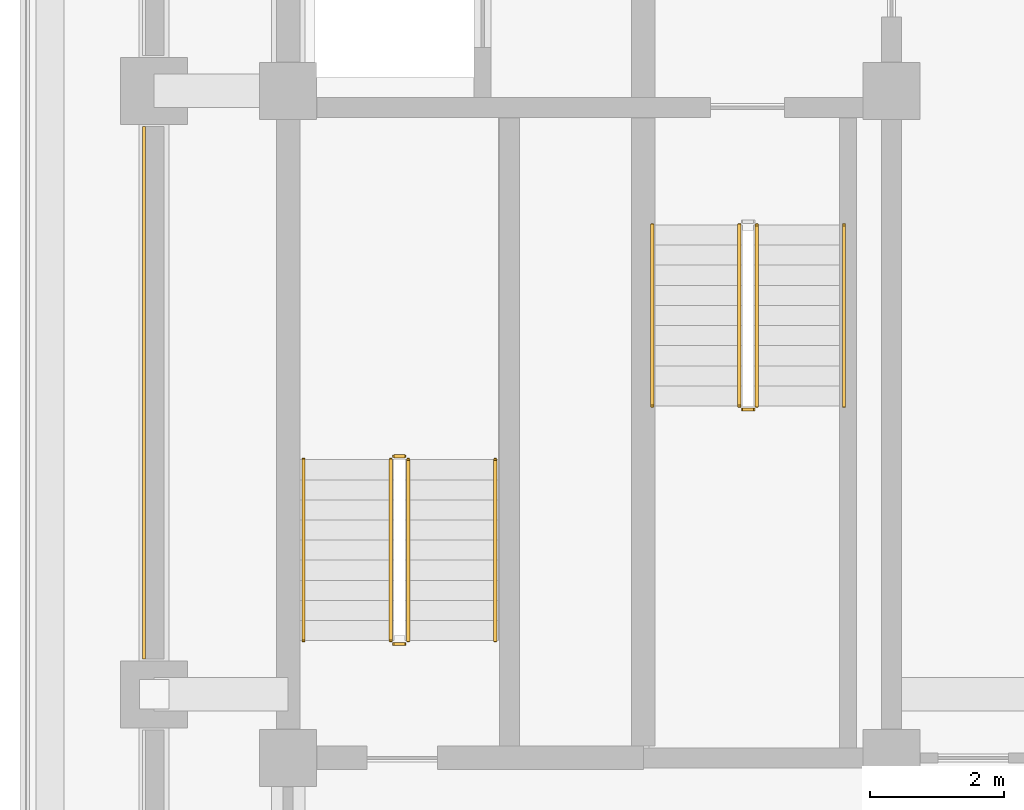
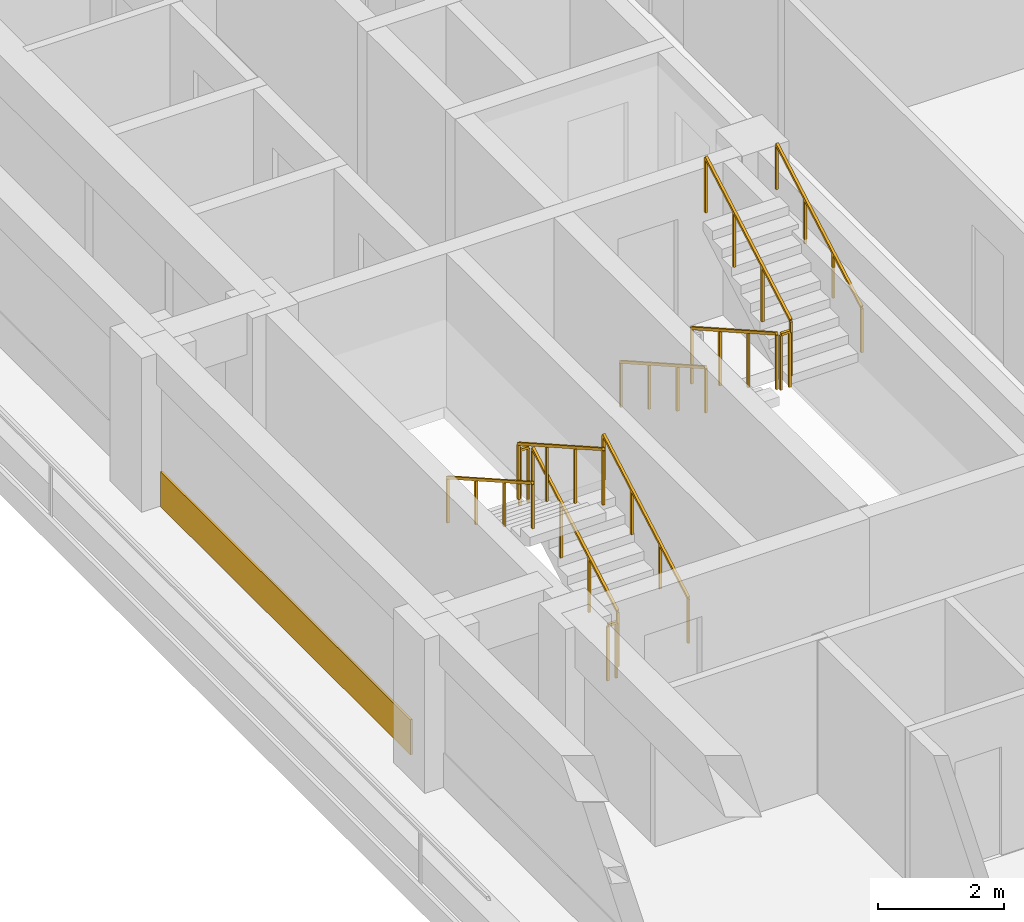
# One storey, part 8 of 13: 11 railings, 1 covering.
"""IFC4 building model written with IfcOpenShell, lengths in metres."""

from ifc_helpers import new_model, si_unit, direction, frame, frame_2d, origin, origin_2d, place, context, subcontext, project, spatial, rectangle, extrude, material, layer, layer_set, type_object, element, save


model = new_model("IFC4")

# Units and contexts
model_context = context("Model", 3, precision=1e-05, world=origin(), true_north=direction((0.0, 1.0)))
body_context = subcontext(model_context, "Body", "Model", "MODEL_VIEW")
ifc_project = project(units=[si_unit("LENGTHUNIT", "METRE"), si_unit("AREAUNIT", "SQUARE_METRE"), si_unit("VOLUMEUNIT", "CUBIC_METRE"), si_unit("PLANEANGLEUNIT", "RADIAN"), si_unit("MASSUNIT", "GRAM", prefix="KILO")], contexts=[model_context])

# Site, building, storey
site_placement = place(None, origin())
site = spatial("IfcSite", under=ifc_project, at=site_placement, CompositionType="ELEMENT")
building_placement = place(site_placement, origin())
building = spatial("IfcBuilding", under=site, at=building_placement, Name="Zulmaris Gate Convention Tower", CompositionType="ELEMENT")
storey_placement = place(building_placement, frame((0.0, 0.0, 183.059814453125)))
storey = spatial("IfcBuildingStorey", under=building, at=storey_placement, Name="L47", CompositionType="ELEMENT", Elevation=183.059814453125)

# Covering
ifc_material_1 = material(Name="Precast concrete C40/50", Category="concrete")
ifc_layer = layer(ifc_material_1, 0.0400390625, Name="Precast concrete C40/50")
ifc_layer_set = layer_set([ifc_layer], Name="Precast concrete C40/50")
covering_type = type_object("IfcCoveringType", Name="CLAD-SPANDREL-PRECAST", PredefinedType="CLADDING", material=ifc_layer_set)
covering_placement = place(storey_placement, frame((-22.14990234375, -0.530029296875, 0.0), z_axis=(0.0, 0.0, 1.0), x_axis=(0.0, -1.0, 0.0)))
element("IfcCovering", 1, at=covering_placement, inside=storey, type_object=covering_type, Name="CLD-L47-W-1_0", PredefinedType="CLADDING", context=body_context, shape_type="SweptSolid", body=[
    extrude(rectangle(XDim=7.93994140625, YDim=0.0400390625, at=frame_2d((3.969970703125, 0.0))), origin(), (0.0, 0.0, 1.0), 0.679931640625),
])

# Railings
ifc_material_2 = material(Name="Painted Galvanised Steel", Category="steel")
railing_type_1 = type_object("IfcRailingType", Name="RL-STG-1150", PredefinedType="GUARDRAIL", material=ifc_material_2)
railing_1_placement = place(storey_placement, frame((-13.27001953125, -2.0, 0.169921875)))
element("IfcRailing", 2, at=railing_1_placement, inside=storey, type_object=railing_type_1, Name="L47 ST-1 stair guard 1", PredefinedType="GUARDRAIL", context=body_context, shape_type="SweptSolid", body=[
    extrude(rectangle(XDim=0.048095703125, YDim=0.048095703125, at=origin_2d()), frame((0.0, 0.0, 1.076171875), z_axis=(0.0, -0.869980566543, 0.493086010588), x_axis=(1.0, 0.0, 0.0)), (0.0, 0.0, 1.0), 3.103515625),
    extrude(rectangle(XDim=0.0419921875, YDim=0.0419921875, at=origin_2d()), origin(), (0.0, 0.0, 1.0), 1.052001953125),
    extrude(rectangle(XDim=0.0419921875, YDim=0.0419921875, at=origin_2d()), frame((0.0, -0.89990234375, 0.510009765625)), (0.0, 0.0, 1.0), 1.052001953125),
    extrude(rectangle(XDim=0.0419921875, YDim=0.0419921875, at=origin_2d()), frame((0.0, -1.800048828125, 1.020263671875)), (0.0, 0.0, 1.0), 1.052001953125),
    extrude(rectangle(XDim=0.0419921875, YDim=0.0419921875, at=origin_2d()), frame((0.0, -2.699951171875, 1.5302734375)), (0.0, 0.0, 1.0), 1.052001953125),
])
railing_2_placement = place(storey_placement, frame((-13.219970703125, -4.75, 1.7001953125)))
element("IfcRailing", 3, at=railing_2_placement, inside=storey, type_object=railing_type_1, Name="L47 ST-1 stair guard 2", PredefinedType="GUARDRAIL", context=body_context, shape_type="SweptSolid", body=[
    extrude(rectangle(XDim=0.048095703125, YDim=0.048095703125, at=origin_2d()), frame((0.0, 0.0, 1.076171875), z_axis=(1.0, 0.0, 0.0), x_axis=(0.0, 1.0, 0.0)), (0.0, 0.0, 1.0), 0.159912109375),
    extrude(rectangle(XDim=0.0419921875, YDim=0.0419921875, at=origin_2d()), origin(), (0.0, 0.0, 1.0), 1.052001953125),
    extrude(rectangle(XDim=0.0419921875, YDim=0.0419921875, at=origin_2d()), frame((0.159912109375, 0.0, 0.0)), (0.0, 0.0, 1.0), 1.052001953125),
])
railing_3_placement = place(storey_placement, frame((-13.010009765625, -4.699951171875, 1.8701171875)))
element("IfcRailing", 4, at=railing_3_placement, inside=storey, type_object=railing_type_1, Name="L47 ST-1 stair guard 3", PredefinedType="GUARDRAIL", context=body_context, shape_type="SweptSolid", body=[
    extrude(rectangle(XDim=0.048095703125, YDim=0.048095703125, at=origin_2d()), frame((0.0, 0.0, 1.076171875), z_axis=(0.0, 0.870014312096, 0.49302646658), x_axis=(-1.0, 0.0, 0.0)), (0.0, 0.0, 1.0), 3.103271484375),
    extrude(rectangle(XDim=0.0419921875, YDim=0.0419921875, at=origin_2d()), origin(), (0.0, 0.0, 1.0), 1.052001953125),
    extrude(rectangle(XDim=0.0419921875, YDim=0.0419921875, at=origin_2d()), frame((0.0, 0.89990234375, 0.510009765625)), (0.0, 0.0, 1.0), 1.052001953125),
    extrude(rectangle(XDim=0.0419921875, YDim=0.0419921875, at=origin_2d()), frame((0.0, 1.800048828125, 1.02001953125)), (0.0, 0.0, 1.0), 1.052001953125),
    extrude(rectangle(XDim=0.0419921875, YDim=0.0419921875, at=origin_2d()), frame((0.0, 2.699951171875, 1.530029296875)), (0.0, 0.0, 1.0), 1.052001953125),
])
railing_4_placement = place(storey_placement, frame((-18.2099609375, -8.199951171875, 0.169921875)))
element("IfcRailing", 5, at=railing_4_placement, inside=storey, type_object=railing_type_1, Name="L47 ST-3 stair guard 1", PredefinedType="GUARDRAIL", context=body_context, shape_type="SweptSolid", body=[
    extrude(rectangle(XDim=0.048095703125, YDim=0.048095703125, at=origin_2d()), frame((0.0, 0.0, 1.076171875), z_axis=(0.0, 0.869980566543, 0.493086010588), x_axis=(-1.0, 0.0, 0.0)), (0.0, 0.0, 1.0), 3.103515625),
    extrude(rectangle(XDim=0.0419921875, YDim=0.0419921875, at=origin_2d()), origin(), (0.0, 0.0, 1.0), 1.052001953125),
    extrude(rectangle(XDim=0.0419921875, YDim=0.0419921875, at=origin_2d()), frame((0.0, 0.89990234375, 0.510009765625)), (0.0, 0.0, 1.0), 1.052001953125),
    extrude(rectangle(XDim=0.0419921875, YDim=0.0419921875, at=origin_2d()), frame((0.0, 1.800048828125, 1.020263671875)), (0.0, 0.0, 1.0), 1.052001953125),
    extrude(rectangle(XDim=0.0419921875, YDim=0.0419921875, at=origin_2d()), frame((0.0, 2.699951171875, 1.5302734375)), (0.0, 0.0, 1.0), 1.052001953125),
])
railing_5_placement = place(storey_placement, frame((-18.260009765625, -5.449951171875, 1.7001953125)))
element("IfcRailing", 6, at=railing_5_placement, inside=storey, type_object=railing_type_1, Name="L47 ST-3 stair guard 2", PredefinedType="GUARDRAIL", context=body_context, shape_type="SweptSolid", body=[
    extrude(rectangle(XDim=0.048095703125, YDim=0.048095703125, at=origin_2d()), frame((0.0, 0.0, 1.076171875), z_axis=(-1.0, 0.0, 0.0), x_axis=(0.0, -1.0, 0.0)), (0.0, 0.0, 1.0), 0.159912109375),
    extrude(rectangle(XDim=0.0419921875, YDim=0.0419921875, at=origin_2d()), origin(), (0.0, 0.0, 1.0), 1.052001953125),
    extrude(rectangle(XDim=0.0419921875, YDim=0.0419921875, at=origin_2d()), frame((-0.159912109375, 0.0, 0.0)), (0.0, 0.0, 1.0), 1.052001953125),
])
railing_6_placement = place(storey_placement, frame((-18.469970703125, -5.5, 1.8701171875)))
element("IfcRailing", 7, at=railing_6_placement, inside=storey, type_object=railing_type_1, Name="L47 ST-3 stair guard 3", PredefinedType="GUARDRAIL", context=body_context, shape_type="SweptSolid", body=[
    extrude(rectangle(XDim=0.048095703125, YDim=0.048095703125, at=origin_2d()), frame((0.0, 0.0, 1.076171875), z_axis=(0.0, -0.870014312096, 0.49302646658), x_axis=(1.0, 0.0, 0.0)), (0.0, 0.0, 1.0), 3.103271484375),
    extrude(rectangle(XDim=0.0419921875, YDim=0.0419921875, at=origin_2d()), origin(), (0.0, 0.0, 1.0), 1.052001953125),
    extrude(rectangle(XDim=0.0419921875, YDim=0.0419921875, at=origin_2d()), frame((0.0, -0.89990234375, 0.510009765625)), (0.0, 0.0, 1.0), 1.052001953125),
    extrude(rectangle(XDim=0.0419921875, YDim=0.0419921875, at=origin_2d()), frame((0.0, -1.800048828125, 1.02001953125)), (0.0, 0.0, 1.0), 1.052001953125),
    extrude(rectangle(XDim=0.0419921875, YDim=0.0419921875, at=origin_2d()), frame((0.0, -2.699951171875, 1.530029296875)), (0.0, 0.0, 1.0), 1.052001953125),
])
railing_7_placement = place(storey_placement, frame((-18.260009765625, -8.25, 0.0)))
element("IfcRailing", 8, at=railing_7_placement, inside=storey, type_object=railing_type_1, Name="L47 ST-3 stair guard 4", PredefinedType="GUARDRAIL", context=body_context, shape_type="SweptSolid", body=[
    extrude(rectangle(XDim=0.048095703125, YDim=0.048095703125, at=origin_2d()), frame((0.0, 0.0, 1.076171875), z_axis=(-1.0, 0.0, 0.0), x_axis=(0.0, -1.0, 0.0)), (0.0, 0.0, 1.0), 0.159912109375),
    extrude(rectangle(XDim=0.0419921875, YDim=0.0419921875, at=origin_2d()), origin(), (0.0, 0.0, 1.0), 1.052001953125),
    extrude(rectangle(XDim=0.0419921875, YDim=0.0419921875, at=origin_2d()), frame((-0.159912109375, 0.0, 0.0)), (0.0, 0.0, 1.0), 1.052001953125),
])
ifc_material_3 = material(Name="Brushed Stainless Steel", Category="steel")
railing_type_2 = type_object("IfcRailingType", Name="RL-STH-900", PredefinedType="HANDRAIL", material=ifc_material_3)
railing_8_placement = place(storey_placement, frame((-14.570068359375, -2.0, 0.169921875)))
element("IfcRailing", 9, at=railing_8_placement, inside=storey, type_object=railing_type_2, Name="L47 ST-1 stair handrail 1", PredefinedType="HANDRAIL", context=body_context, shape_type="SweptSolid", body=[
    extrude(rectangle(XDim=0.048095703125, YDim=0.048095703125, at=origin_2d()), frame((0.0, 0.0, 0.8759765625), z_axis=(0.0, -0.869980566543, 0.493086010588), x_axis=(1.0, 0.0, 0.0)), (0.0, 0.0, 1.0), 3.103515625),
    extrude(rectangle(XDim=0.0419921875, YDim=0.0419921875, at=origin_2d()), origin(), (0.0, 0.0, 1.0), 0.851806640625),
    extrude(rectangle(XDim=0.0419921875, YDim=0.0419921875, at=origin_2d()), frame((0.0, -0.89990234375, 0.510009765625)), (0.0, 0.0, 1.0), 0.851806640625),
    extrude(rectangle(XDim=0.0419921875, YDim=0.0419921875, at=origin_2d()), frame((0.0, -1.800048828125, 1.020263671875)), (0.0, 0.0, 1.0), 0.851806640625),
    extrude(rectangle(XDim=0.0419921875, YDim=0.0419921875, at=origin_2d()), frame((0.0, -2.699951171875, 1.5302734375)), (0.0, 0.0, 1.0), 0.851806640625),
])
railing_9_placement = place(storey_placement, frame((-11.7099609375, -4.699951171875, 1.8701171875)))
element("IfcRailing", 10, at=railing_9_placement, inside=storey, type_object=railing_type_2, Name="L47 ST-1 stair handrail 2", PredefinedType="HANDRAIL", context=body_context, shape_type="SweptSolid", body=[
    extrude(rectangle(XDim=0.048095703125, YDim=0.048095703125, at=origin_2d()), frame((0.0, 0.0, 0.8759765625), z_axis=(0.0, 0.870014312096, 0.49302646658), x_axis=(-1.0, 0.0, 0.0)), (0.0, 0.0, 1.0), 3.103271484375),
    extrude(rectangle(XDim=0.0419921875, YDim=0.0419921875, at=origin_2d()), origin(), (0.0, 0.0, 1.0), 0.851806640625),
    extrude(rectangle(XDim=0.0419921875, YDim=0.0419921875, at=origin_2d()), frame((0.0, 0.89990234375, 0.510009765625)), (0.0, 0.0, 1.0), 0.851806640625),
    extrude(rectangle(XDim=0.0419921875, YDim=0.0419921875, at=origin_2d()), frame((0.0, 1.800048828125, 1.02001953125)), (0.0, 0.0, 1.0), 0.851806640625),
    extrude(rectangle(XDim=0.0419921875, YDim=0.0419921875, at=origin_2d()), frame((0.0, 2.699951171875, 1.530029296875)), (0.0, 0.0, 1.0), 0.851806640625),
])
railing_10_placement = place(storey_placement, frame((-16.909912109375, -8.199951171875, 0.169921875)))
element("IfcRailing", 11, at=railing_10_placement, inside=storey, type_object=railing_type_2, Name="L47 ST-3 stair handrail 1", PredefinedType="HANDRAIL", context=body_context, shape_type="SweptSolid", body=[
    extrude(rectangle(XDim=0.048095703125, YDim=0.048095703125, at=origin_2d()), frame((0.0, 0.0, 0.8759765625), z_axis=(0.0, 0.869980566543, 0.493086010588), x_axis=(-1.0, 0.0, 0.0)), (0.0, 0.0, 1.0), 3.103515625),
    extrude(rectangle(XDim=0.0419921875, YDim=0.0419921875, at=origin_2d()), origin(), (0.0, 0.0, 1.0), 0.851806640625),
    extrude(rectangle(XDim=0.0419921875, YDim=0.0419921875, at=origin_2d()), frame((0.0, 0.89990234375, 0.510009765625)), (0.0, 0.0, 1.0), 0.851806640625),
    extrude(rectangle(XDim=0.0419921875, YDim=0.0419921875, at=origin_2d()), frame((0.0, 1.800048828125, 1.020263671875)), (0.0, 0.0, 1.0), 0.851806640625),
    extrude(rectangle(XDim=0.0419921875, YDim=0.0419921875, at=origin_2d()), frame((0.0, 2.699951171875, 1.5302734375)), (0.0, 0.0, 1.0), 0.851806640625),
])
railing_11_placement = place(storey_placement, frame((-19.77001953125, -5.5, 1.8701171875)))
element("IfcRailing", 12, at=railing_11_placement, inside=storey, type_object=railing_type_2, Name="L47 ST-3 stair handrail 2", PredefinedType="HANDRAIL", context=body_context, shape_type="SweptSolid", body=[
    extrude(rectangle(XDim=0.048095703125, YDim=0.048095703125, at=origin_2d()), frame((0.0, 0.0, 0.8759765625), z_axis=(0.0, -0.870014312096, 0.49302646658), x_axis=(1.0, 0.0, 0.0)), (0.0, 0.0, 1.0), 3.103271484375),
    extrude(rectangle(XDim=0.0419921875, YDim=0.0419921875, at=origin_2d()), origin(), (0.0, 0.0, 1.0), 0.851806640625),
    extrude(rectangle(XDim=0.0419921875, YDim=0.0419921875, at=origin_2d()), frame((0.0, -0.89990234375, 0.510009765625)), (0.0, 0.0, 1.0), 0.851806640625),
    extrude(rectangle(XDim=0.0419921875, YDim=0.0419921875, at=origin_2d()), frame((0.0, -1.800048828125, 1.02001953125)), (0.0, 0.0, 1.0), 0.851806640625),
    extrude(rectangle(XDim=0.0419921875, YDim=0.0419921875, at=origin_2d()), frame((0.0, -2.699951171875, 1.530029296875)), (0.0, 0.0, 1.0), 0.851806640625),
])

save(model, "model.ifc")
